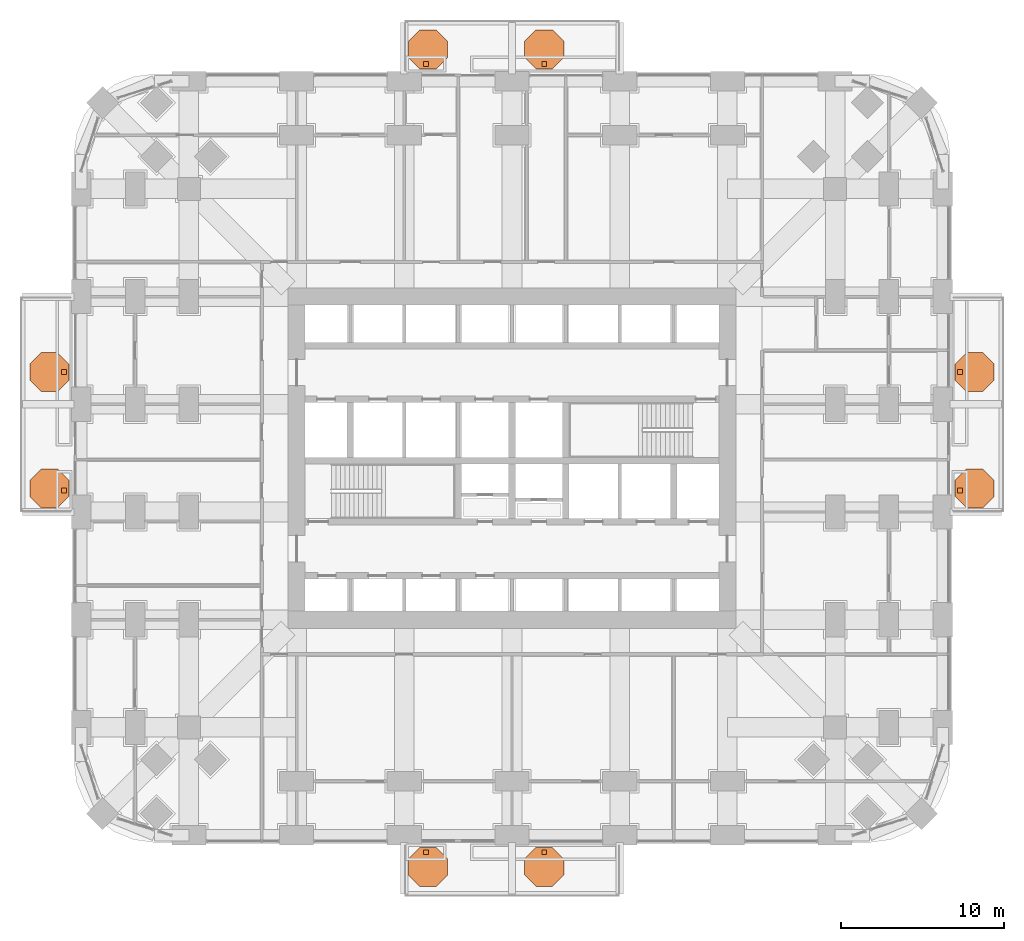
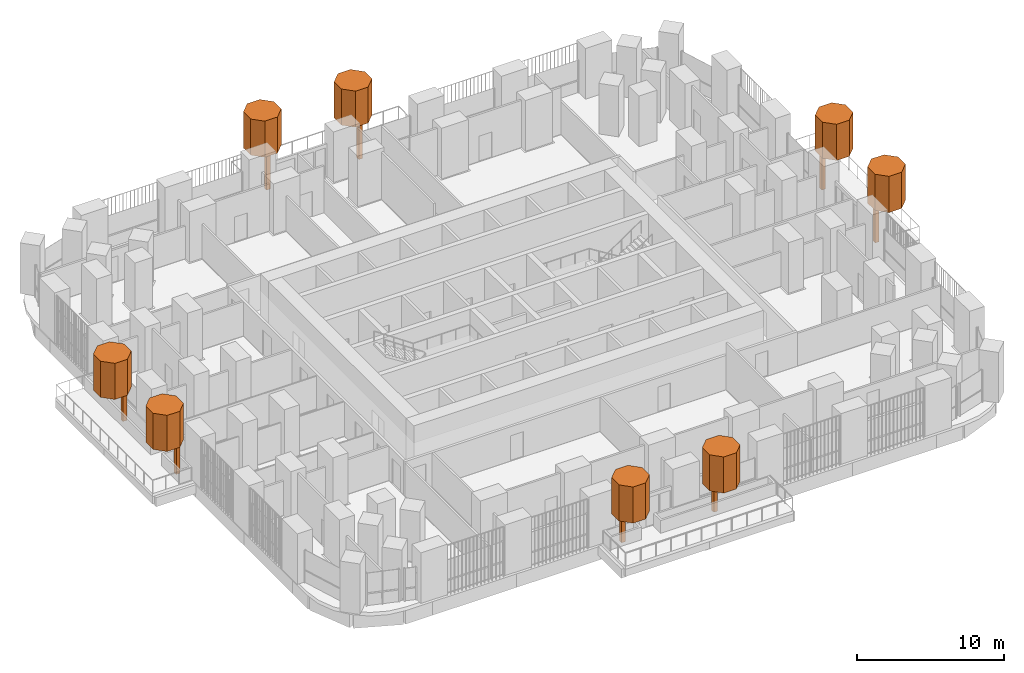
# One storey, part 26 of 26: 16 geographic elements.
"""IFC4 building model written with IfcOpenShell, lengths in metres."""

import ifcopenshell
import ifcopenshell.guid

model = None  # the IFC model being written
_history = None  # IfcOwnerHistory: only IFC2X3 demands one
_inside = {}  # id of a spatial element -> (the spatial element, [elements in it])
_under = {}  # id of a project, library or spatial element -> (it, [spatial elements below it])
_declared = {}  # id of a project -> (the project, [libraries it declares])
_typed = {}  # id of a type object -> (the type object, [elements of that type])
_made_of = {}  # id of a material, layer set ... -> (it, [elements and type objects made of it])


def new_model(schema):
    """Start an empty IFC model of exactly this schema.

    Asked for "IFC4X3", IfcOpenShell would pick the latest addendum, in which some entities
    have other attributes; the version numbers below select the first issue.
    IFC2X3 requires an IfcOwnerHistory on every rooted entity: one is made here for all.
    """
    global model, _history
    if schema == "IFC4X3":
        model = ifcopenshell.file(schema_version=(4, 3, 0, 0))
    else:
        model = ifcopenshell.file(schema=schema)
    _inside.clear()
    _under.clear()
    _declared.clear()
    _typed.clear()
    _made_of.clear()
    _history = None
    if model.schema == "IFC2X3":
        org = make("IfcOrganization", Name="unknown")
        user = make(
            "IfcPersonAndOrganization",
            ThePerson=make("IfcPerson", FamilyName="unknown"),
            TheOrganization=org,
        )
        app = make(
            "IfcApplication",
            ApplicationDeveloper=org,
            Version="unknown",
            ApplicationFullName="unknown",
            ApplicationIdentifier="unknown",
        )
        _history = make(
            "IfcOwnerHistory",
            OwningUser=user,
            OwningApplication=app,
            ChangeAction="ADDED",
            CreationDate=0,
        )
    return model


def make(cls, **values):
    """One entity of the class cls with the attributes given. An attribute that is None is left unset."""
    return model.create_entity(
        cls, **{name: value for name, value in values.items() if value is not None}
    )


def rooted(cls, **values):
    """An entity with a GlobalId (a new one), such as an element, a storey or a relation."""
    return make(cls, GlobalId=ifcopenshell.guid.new(), OwnerHistory=_history, **values)


def si_unit(unit_type, name, prefix=None):
    """IfcSIUnit, for example si_unit("LENGTHUNIT", "METRE", prefix="MILLI")."""
    return make("IfcSIUnit", UnitType=unit_type, Prefix=prefix, Name=name)


def assignment(units):
    """IfcUnitAssignment: the units of a project."""
    return None if units is None else make("IfcUnitAssignment", Units=units)


def point(xyz):
    """IfcCartesianPoint."""
    return None if xyz is None else make("IfcCartesianPoint", Coordinates=xyz)


def direction(xyz):
    """IfcDirection."""
    return None if xyz is None else make("IfcDirection", DirectionRatios=xyz)


def frame(location, z_axis=None, x_axis=None):
    """IfcAxis2Placement3D, a coordinate frame: its origin and axes. An axis left out is left unset."""
    return make(
        "IfcAxis2Placement3D",
        Location=point(location),
        Axis=direction(z_axis),
        RefDirection=direction(x_axis),
    )


def frame_2d(location, x_axis=None):
    """IfcAxis2Placement2D, a coordinate frame in the plane: its origin and x axis."""
    return make(
        "IfcAxis2Placement2D", Location=point(location), RefDirection=direction(x_axis)
    )


def origin():
    """The frame at (0, 0, 0) with its axes left unset."""
    return frame((0.0, 0.0, 0.0))


def origin_2d():
    """The frame at (0, 0) in the plane with its x axis left unset."""
    return frame_2d((0.0, 0.0))


def place(relative_to, where):
    """IfcLocalPlacement: puts the frame where relative to a parent placement (None: the world)."""
    return make(
        "IfcLocalPlacement", PlacementRelTo=relative_to, RelativePlacement=where
    )


def context(
    kind, dimensions, precision=None, world=None, true_north=None, identifier=None
):
    """IfcGeometricRepresentationContext, for example the 3D "Model" context."""
    return make(
        "IfcGeometricRepresentationContext",
        ContextIdentifier=identifier,
        ContextType=kind,
        CoordinateSpaceDimension=dimensions,
        Precision=precision,
        WorldCoordinateSystem=world,
        TrueNorth=true_north,
    )


def subcontext(parent, identifier, kind, view, scale=None):
    """IfcGeometricRepresentationSubContext, for example "Body" below "Model"."""
    return make(
        "IfcGeometricRepresentationSubContext",
        ContextIdentifier=identifier,
        ContextType=kind,
        ParentContext=parent,
        TargetScale=scale,
        TargetView=view,
    )


def project(units=None, contexts=None):
    """IfcProject with its units and contexts."""
    return rooted(
        "IfcProject",
        Name="project",
        RepresentationContexts=contexts,
        UnitsInContext=assignment(units),
    )


def spatial(cls, under=None, at=None, **own):
    """A site, building, storey or space (cls), placed at a placement, below another one or the project."""
    s = rooted(cls, ObjectPlacement=at, **own)
    if under is not None:
        _under.setdefault(under.id(), (under, []))[1].append(s)
    return s


def polyline(points):
    """IfcPolyline through the points."""
    return make("IfcPolyline", Points=[point(p) for p in points])


def profile(cls, at=None, kind="AREA", **sizes):
    """A parametric profile (cls). Its sizes go by their IFC names, for example OverallWidth=200.0."""
    return make(cls, ProfileType=kind, Position=at, **sizes)


def rectangle(**sizes):
    """IfcRectangleProfileDef."""
    return profile("IfcRectangleProfileDef", **sizes)


def outline(outer, holes=None, kind="AREA"):
    """IfcArbitraryClosedProfileDef: a profile drawn as a closed curve; with holes, ...WithVoids."""
    if holes is None:
        return make("IfcArbitraryClosedProfileDef", ProfileType=kind, OuterCurve=outer)
    return make(
        "IfcArbitraryProfileDefWithVoids",
        ProfileType=kind,
        OuterCurve=outer,
        InnerCurves=holes,
    )


def extrude(swept, where, along, depth):
    """IfcExtrudedAreaSolid: the profile swept, set in the frame where, extruded along a direction by depth."""
    return make(
        "IfcExtrudedAreaSolid",
        SweptArea=swept,
        Position=where,
        ExtrudedDirection=direction(along),
        Depth=depth,
    )


def shape(context_of_items, identifier, shape_type, items):
    """IfcShapeRepresentation: the items that make up one representation, for example the "Body"."""
    return make(
        "IfcShapeRepresentation",
        ContextOfItems=context_of_items,
        RepresentationIdentifier=identifier,
        RepresentationType=shape_type,
        Items=items,
    )


def material(Name=None, Category=None):
    """IfcMaterial."""
    return make("IfcMaterial", Name=Name, Category=Category)


def made_of(thing, what):
    """Note that an element or type object is made of a material, layer set ...; save() writes the relation."""
    if what is not None:
        _made_of.setdefault(what.id(), (what, []))[1].append(thing)
    return thing


def type_object(cls, material=None, **own):
    """A type object (cls), such as IfcWallType, which elements share."""
    return made_of(rooted(cls, **own), material)


def element(
    cls,
    number,
    at=None,
    inside=None,
    cuts=None,
    type_object=None,
    material=None,
    context=None,
    identifier="Body",
    shape_type=None,
    held_by="IfcProductDefinitionShape",
    body=None,
    shapes=None,
    **own,
):
    """One element of the class cls, such as IfcWall. Its Tag is "e" and its number.

    at: its placement. inside: the storey or other place that contains it. cuts: it is an
    opening in that element (IfcRelVoidsElement). A single representation is given by context,
    identifier, shape_type and body (its items); several are given by shapes. held_by: the class
    of the entity that holds the representations. save() writes the other relations.
    """
    e = rooted(cls, Tag="e%d" % number, ObjectPlacement=at, **own)
    if body is not None:
        shapes = [shape(context, identifier, shape_type, body)]
    if shapes is not None:
        e.Representation = make(held_by, Representations=shapes)
    if inside is not None:
        _inside.setdefault(inside.id(), (inside, []))[1].append(e)
    if cuts is not None:
        rooted(
            "IfcRelVoidsElement", RelatingBuildingElement=cuts, RelatedOpeningElement=e
        )
    if type_object is not None:
        _typed.setdefault(type_object.id(), (type_object, []))[1].append(e)
    return made_of(e, material)


def aggregate(whole, parts):
    """IfcRelAggregates: a whole, such as a stair, and the parts it consists of."""
    return rooted("IfcRelAggregates", RelatingObject=whole, RelatedObjects=parts)


def save(model, path):
    """Write the relations noted so far, then the file.

    IfcRelAggregates (storeys below a building ...), IfcRelContainedInSpatialStructure (elements
    in a storey), IfcRelDefinesByType, IfcRelAssociatesMaterial and IfcRelDeclares: one each for
    every whole, place, type object, material and project.
    """
    for whole, parts in _under.values():
        aggregate(whole, parts)
    for where, things in _inside.values():
        rooted(
            "IfcRelContainedInSpatialStructure",
            RelatedElements=things,
            RelatingStructure=where,
        )
    for kind, things in _typed.values():
        rooted("IfcRelDefinesByType", RelatedObjects=things, RelatingType=kind)
    for what, things in _made_of.values():
        rooted("IfcRelAssociatesMaterial", RelatedObjects=things, RelatingMaterial=what)
    for by, libraries in _declared.values():
        rooted("IfcRelDeclares", RelatingContext=by, RelatedDefinitions=libraries)
    model.write(path)


model = new_model("IFC4")

# Units and contexts
model_context = context("Model", 3, precision=1e-05, world=origin(), true_north=direction((0.0, 1.0)))
body_context = subcontext(model_context, "Body", "Model", "MODEL_VIEW")
ifc_project = project(units=[si_unit("LENGTHUNIT", "METRE"), si_unit("AREAUNIT", "SQUARE_METRE"), si_unit("VOLUMEUNIT", "CUBIC_METRE"), si_unit("PLANEANGLEUNIT", "RADIAN"), si_unit("MASSUNIT", "GRAM", prefix="KILO")], contexts=[model_context])

# Site, building, storey
site_placement = place(None, origin())
site = spatial("IfcSite", under=ifc_project, at=site_placement, CompositionType="ELEMENT")
building_placement = place(site_placement, origin())
building = spatial("IfcBuilding", under=site, at=building_placement, Name="Cobogo Forest Laboratory Tower", CompositionType="ELEMENT")
storey_placement = place(building_placement, frame((0.0, 0.0, 25.5)))
storey = spatial("IfcBuildingStorey", under=building, at=storey_placement, Name="L05", CompositionType="ELEMENT", Elevation=25.5)

# Geographic elements
ifc_material = material(Name="Planting", Category="plant")
geographic_element_type_1 = type_object("IfcGeographicElementType", Name="Tree trunk 300", PredefinedType="USERDEFINED", material=ifc_material)
for number, where, z_axis, x_axis, name in (
    (1, (21.125, -1.050048828125, 0.0), (0.0, 0.0, 1.0), (1.0, 0.0, 0.0), "Tree trunk BAL-S1-PL1 L05"),
    (2, (28.375, -1.050048828125, 0.0), (0.0, 0.0, 1.0), (1.0, 0.0, 0.0), "Tree trunk BAL-S1-PL2 L05"),
    (3, (53.85009765625, 21.125, 0.0), (0.0, 0.0, 1.0), (1.0, 0.0, 0.0), "Tree trunk BAL-E1-PL1 L05"),
    (4, (53.85009765625, 28.375, 0.0), (0.0, 0.0, 1.0), (1.0, 0.0, 0.0), "Tree trunk BAL-E1-PL2 L05"),
    (5, (21.125, 47.25, 0.0), (0.0, 0.0, 1.0), (1.0, 0.0, 0.0), "Tree trunk BAL-N1-PL1 L05"),
    (6, (28.375, 47.25, 0.0), (0.0, 0.0, 1.0), (1.0, 0.0, 0.0), "Tree trunk BAL-N1-PL2 L05"),
    (7, (-1.050048828125, 21.125, 0.0), (0.0, 0.0, 1.0), (1.0, 0.0, 0.0), "Tree trunk BAL-W1-PL1 L05"),
    (8, (-1.050048828125, 28.375, 0.0), (0.0, 0.0, 1.0), (1.0, 0.0, 0.0), "Tree trunk BAL-W1-PL2 L05"),
):
    element("IfcGeographicElement", number, at=place(storey_placement, frame(where, z_axis=z_axis, x_axis=x_axis)), inside=storey, type_object=geographic_element_type_1, Name=name, ObjectType="TREE TRUNK", PredefinedType="USERDEFINED", context=body_context, shape_type="SweptSolid", body=[
        extrude(rectangle(XDim=0.300048828125, YDim=0.300048828125, at=origin_2d()), origin(), (0.0, 0.0, 1.0), 2.89990234375),
    ])
geographic_element_type_2 = type_object("IfcGeographicElementType", Name="Tree, holm oak 5 m", PredefinedType="USERDEFINED", material=ifc_material)
geographic_element_1_placement = place(storey_placement, frame((0.0, 0.0, 2.89990234375)))
element("IfcGeographicElement", 9, at=geographic_element_1_placement, inside=storey, type_object=geographic_element_type_2, Name="Holm tree BAL-S1-PL1 L05", ObjectType="TREE", PredefinedType="USERDEFINED", context=body_context, shape_type="SweptSolid", body=[
    extrude(outline(polyline([(22.449951171875, -2.447021484375), (22.449951171875, -1.452880859375), (21.7470703125, -0.75), (20.7529296875, -0.75), (20.050048828125, -1.452880859375), (20.050048828125, -2.447021484375), (20.7529296875, -3.14990234375), (21.7470703125, -3.14990234375), (22.449951171875, -2.447021484375)])), origin(), (0.0, 0.0, 1.0), 3.0),
])
geographic_element_2_placement = place(storey_placement, frame((0.0, 0.0, 2.89990234375)))
element("IfcGeographicElement", 10, at=geographic_element_2_placement, inside=storey, type_object=geographic_element_type_2, Name="Holm tree BAL-S1-PL2 L05", ObjectType="TREE", PredefinedType="USERDEFINED", context=body_context, shape_type="SweptSolid", body=[
    extrude(outline(polyline([(29.574951171875, -2.447021484375), (29.574951171875, -1.452880859375), (28.8720703125, -0.75), (27.8779296875, -0.75), (27.175048828125, -1.452880859375), (27.175048828125, -2.447021484375), (27.8779296875, -3.14990234375), (28.8720703125, -3.14990234375), (29.574951171875, -2.447021484375)])), origin(), (0.0, 0.0, 1.0), 3.0),
])
geographic_element_3_placement = place(storey_placement, frame((0.0, 0.0, 2.89990234375)))
element("IfcGeographicElement", 11, at=geographic_element_3_placement, inside=storey, type_object=geographic_element_type_2, Name="Holm tree BAL-E1-PL1 L05", ObjectType="TREE", PredefinedType="USERDEFINED", context=body_context, shape_type="SweptSolid", body=[
    extrude(outline(polyline([(55.949951171875, 20.7529296875), (55.949951171875, 21.7470703125), (55.2470703125, 22.449951171875), (54.2529296875, 22.449951171875), (53.550048828125, 21.7470703125), (53.550048828125, 20.7529296875), (54.2529296875, 20.050048828125), (55.2470703125, 20.050048828125), (55.949951171875, 20.7529296875)])), origin(), (0.0, 0.0, 1.0), 3.0),
])
geographic_element_4_placement = place(storey_placement, frame((0.0, 0.0, 2.89990234375)))
element("IfcGeographicElement", 12, at=geographic_element_4_placement, inside=storey, type_object=geographic_element_type_2, Name="Holm tree BAL-E1-PL2 L05", ObjectType="TREE", PredefinedType="USERDEFINED", context=body_context, shape_type="SweptSolid", body=[
    extrude(outline(polyline([(55.949951171875, 27.8779296875), (55.949951171875, 28.8720703125), (55.2470703125, 29.574951171875), (54.2529296875, 29.574951171875), (53.550048828125, 28.8720703125), (53.550048828125, 27.8779296875), (54.2529296875, 27.175048828125), (55.2470703125, 27.175048828125), (55.949951171875, 27.8779296875)])), origin(), (0.0, 0.0, 1.0), 3.0),
])
geographic_element_5_placement = place(storey_placement, frame((0.0, 0.0, 2.89990234375)))
element("IfcGeographicElement", 13, at=geographic_element_5_placement, inside=storey, type_object=geographic_element_type_2, Name="Holm tree BAL-N1-PL1 L05", ObjectType="TREE", PredefinedType="USERDEFINED", context=body_context, shape_type="SweptSolid", body=[
    extrude(outline(polyline([(22.449951171875, 47.65283203125), (22.449951171875, 48.64697265625), (21.7470703125, 49.35009765625), (20.7529296875, 49.35009765625), (20.050048828125, 48.64697265625), (20.050048828125, 47.65283203125), (20.7529296875, 46.949951171875), (21.7470703125, 46.949951171875), (22.449951171875, 47.65283203125)])), origin(), (0.0, 0.0, 1.0), 3.0),
])
geographic_element_6_placement = place(storey_placement, frame((0.0, 0.0, 2.89990234375)))
element("IfcGeographicElement", 14, at=geographic_element_6_placement, inside=storey, type_object=geographic_element_type_2, Name="Holm tree BAL-N1-PL2 L05", ObjectType="TREE", PredefinedType="USERDEFINED", context=body_context, shape_type="SweptSolid", body=[
    extrude(outline(polyline([(29.574951171875, 47.65283203125), (29.574951171875, 48.64697265625), (28.8720703125, 49.35009765625), (27.8779296875, 49.35009765625), (27.175048828125, 48.64697265625), (27.175048828125, 47.65283203125), (27.8779296875, 46.949951171875), (28.8720703125, 46.949951171875), (29.574951171875, 47.65283203125)])), origin(), (0.0, 0.0, 1.0), 3.0),
])
geographic_element_7_placement = place(storey_placement, frame((0.0, 0.0, 2.89990234375)))
element("IfcGeographicElement", 15, at=geographic_element_7_placement, inside=storey, type_object=geographic_element_type_2, Name="Holm tree BAL-W1-PL1 L05", ObjectType="TREE", PredefinedType="USERDEFINED", context=body_context, shape_type="SweptSolid", body=[
    extrude(outline(polyline([(-0.75, 20.7529296875), (-0.75, 21.7470703125), (-1.452880859375, 22.449951171875), (-2.447021484375, 22.449951171875), (-3.14990234375, 21.7470703125), (-3.14990234375, 20.7529296875), (-2.447021484375, 20.050048828125), (-1.452880859375, 20.050048828125), (-0.75, 20.7529296875)])), origin(), (0.0, 0.0, 1.0), 3.0),
])
geographic_element_8_placement = place(storey_placement, frame((0.0, 0.0, 2.89990234375)))
element("IfcGeographicElement", 16, at=geographic_element_8_placement, inside=storey, type_object=geographic_element_type_2, Name="Holm tree BAL-W1-PL2 L05", ObjectType="TREE", PredefinedType="USERDEFINED", context=body_context, shape_type="SweptSolid", body=[
    extrude(outline(polyline([(-0.75, 27.8779296875), (-0.75, 28.8720703125), (-1.452880859375, 29.574951171875), (-2.447021484375, 29.574951171875), (-3.14990234375, 28.8720703125), (-3.14990234375, 27.8779296875), (-2.447021484375, 27.175048828125), (-1.452880859375, 27.175048828125), (-0.75, 27.8779296875)])), origin(), (0.0, 0.0, 1.0), 3.0),
])

save(model, "model.ifc")
